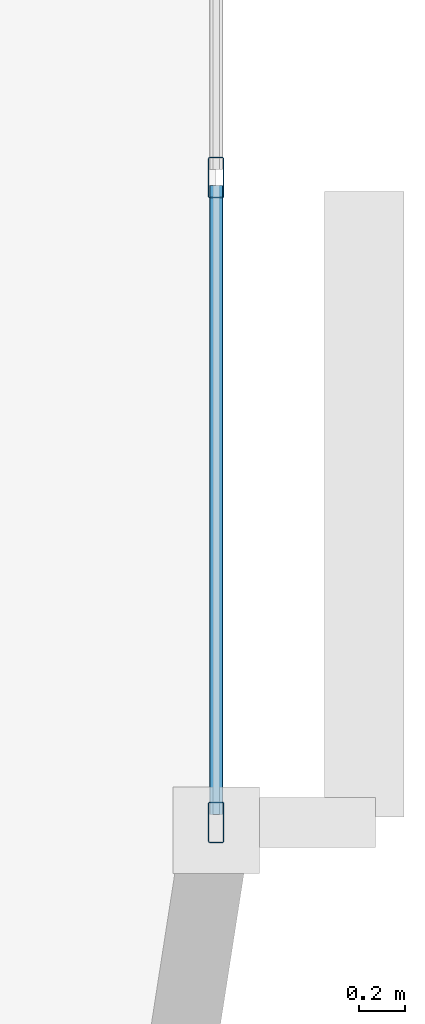
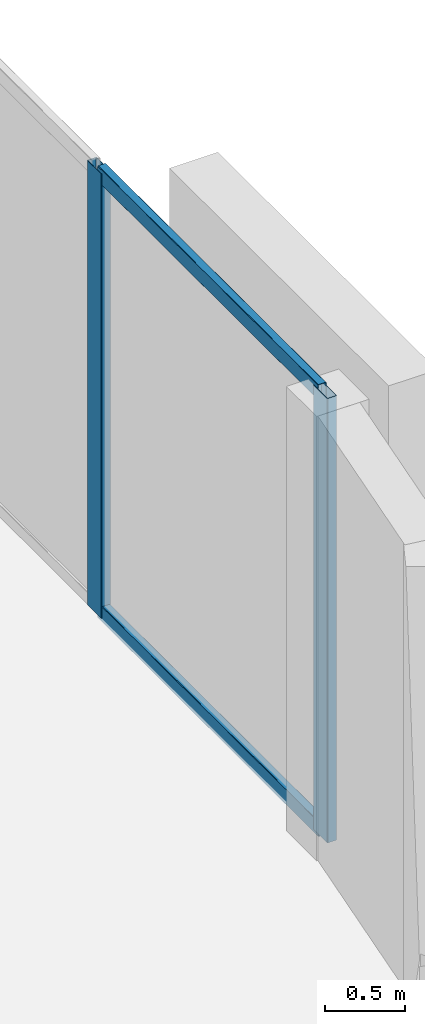
# One storey, part 4 of 16: 4 members, 1 element without a shape of its own.
"""IFC4 building model written with IfcOpenShell, lengths in metres."""

from ifc_helpers import new_model, si_unit, direction, frame, origin, origin_2d, place, context, subcontext, project, spatial, hollow_rectangle, extrude, material, layer, layer_set, material_profile, profile_set, type_object, element, aggregate, save


model = new_model("IFC4")

# Units and contexts
model_context = context("Model", 3, precision=1e-05, world=origin(), true_north=direction((0.0, 1.0)))
body_context = subcontext(model_context, "Body", "Model", "MODEL_VIEW")
ifc_project = project(units=[si_unit("LENGTHUNIT", "METRE"), si_unit("AREAUNIT", "SQUARE_METRE"), si_unit("VOLUMEUNIT", "CUBIC_METRE"), si_unit("PLANEANGLEUNIT", "RADIAN"), si_unit("MASSUNIT", "GRAM", prefix="KILO")], contexts=[model_context])

# Site, building, storey
site_placement = place(None, origin())
site = spatial("IfcSite", under=ifc_project, at=site_placement, CompositionType="ELEMENT")
building_placement = place(site_placement, origin())
building = spatial("IfcBuilding", under=site, at=building_placement, Name="An Khanh Terracotta Commons", CompositionType="ELEMENT")
storey_placement = place(building_placement, frame((0.0, 0.0, 89.89990234375)))
storey = spatial("IfcBuildingStorey", under=building, at=storey_placement, Name="L23", CompositionType="ELEMENT", Elevation=89.89990234375)

# Curtain wall, members
ifc_material = material(Name="Anodised Aluminium 6063-T6", Category="aluminium")
ifc_layer = layer(ifc_material, 0.199951171875, Name="Anodised Aluminium 6063-T6")
ifc_layer_set = layer_set([ifc_layer], Name="Anodised Aluminium 6063-T6")
curtain_wall_type = type_object("IfcCurtainWallType", Name="CW-SYS-02", PredefinedType="USERDEFINED", material=ifc_layer_set)
curtain_wall_placement = place(storey_placement, origin())
curtain_wall = element("IfcCurtainWall", 1, at=curtain_wall_placement, inside=storey, type_object=curtain_wall_type, Name="L23 CW-02 Unitised Curtain Wall CW-L23-12", ObjectType="UNITISED CURTAIN WALL", PredefinedType="USERDEFINED")
ifc_material_profile_1 = material_profile(ifc_material, hollow_rectangle(XDim=0.070068359375, YDim=0.179931640625, WallThickness=0.00390625, InnerFilletRadius=0.00390625, OuterFilletRadius=0.008056640625, at=origin_2d()), Name="RHS180x70x4")
ifc_profile_set_1 = profile_set([ifc_material_profile_1], Name="Anodised Aluminium 6063-T6")
member_type_1 = type_object("IfcMemberType", Name="CWM-RHS180x70x4", PredefinedType="MULLION", material=ifc_profile_set_1)
member_1_placement = place(storey_placement, frame((57.39990234375, 15.43505859375, 0.0), z_axis=(0.0, 0.0, 1.0), x_axis=(-1.0, 0.0, 0.0)))
member_1 = element("IfcMember", 2, at=member_1_placement, type_object=member_type_1, Name="CW-02 mullion 1", PredefinedType="MULLION", context=body_context, shape_type="SweptSolid", body=[
    extrude(hollow_rectangle(XDim=0.070068359375, YDim=0.179931640625, WallThickness=0.00390625, InnerFilletRadius=0.00390625, OuterFilletRadius=0.008056640625, at=origin_2d()), origin(), (0.0, 0.0, 1.0), 3.400146484375),
])
member_2_placement = place(storey_placement, frame((57.39990234375, 18.2666015625, 0.0), z_axis=(0.0, 0.0, 1.0), x_axis=(-1.0, 0.0, 0.0)))
member_2 = element("IfcMember", 3, at=member_2_placement, type_object=member_type_1, Name="CW-02 mullion 2", PredefinedType="MULLION", context=body_context, shape_type="SweptSolid", body=[
    extrude(hollow_rectangle(XDim=0.070068359375, YDim=0.179931640625, WallThickness=0.00390625, InnerFilletRadius=0.00390625, OuterFilletRadius=0.008056640625, at=origin_2d()), origin(), (0.0, 0.0, 1.0), 3.400146484375),
])
ifc_material_profile_2 = material_profile(ifc_material, hollow_rectangle(XDim=0.06005859375, YDim=0.1201171875, WallThickness=0.003662109375, InnerFilletRadius=0.003662109375, OuterFilletRadius=0.007080078125, at=origin_2d()), Name="RHS120x60x3.6")
ifc_profile_set_2 = profile_set([ifc_material_profile_2], Name="Anodised Aluminium 6063-T6")
member_type_2 = type_object("IfcMemberType", Name="CWT-RHS120x60x3.6", PredefinedType="USERDEFINED", material=ifc_profile_set_2)
member_3_placement = place(storey_placement, frame((57.39990234375, 15.469970703125, 0.030029296875), z_axis=(0.0, 1.0, 0.0), x_axis=(-1.0, 0.0, 0.0)))
member_3 = element("IfcMember", 4, at=member_3_placement, type_object=member_type_2, Name="CW-02 transom 1.1", ObjectType="TRANSOM", PredefinedType="USERDEFINED", context=body_context, shape_type="SweptSolid", body=[
    extrude(hollow_rectangle(XDim=0.06005859375, YDim=0.1201171875, WallThickness=0.003662109375, InnerFilletRadius=0.003662109375, OuterFilletRadius=0.007080078125, at=origin_2d()), origin(), (0.0, 0.0, 1.0), 2.76171875),
])
member_4_placement = place(storey_placement, frame((57.39990234375, 15.469970703125, 3.3701171875), z_axis=(0.0, 1.0, 0.0), x_axis=(-1.0, 0.0, 0.0)))
member_4 = element("IfcMember", 5, at=member_4_placement, type_object=member_type_2, Name="CW-02 transom 1.2", ObjectType="TRANSOM", PredefinedType="USERDEFINED", context=body_context, shape_type="SweptSolid", body=[
    extrude(hollow_rectangle(XDim=0.06005859375, YDim=0.1201171875, WallThickness=0.003662109375, InnerFilletRadius=0.003662109375, OuterFilletRadius=0.007080078125, at=origin_2d()), origin(), (0.0, 0.0, 1.0), 2.76171875),
])
aggregate(curtain_wall, [member_1, member_2, member_3, member_4])

save(model, "model.ifc")
